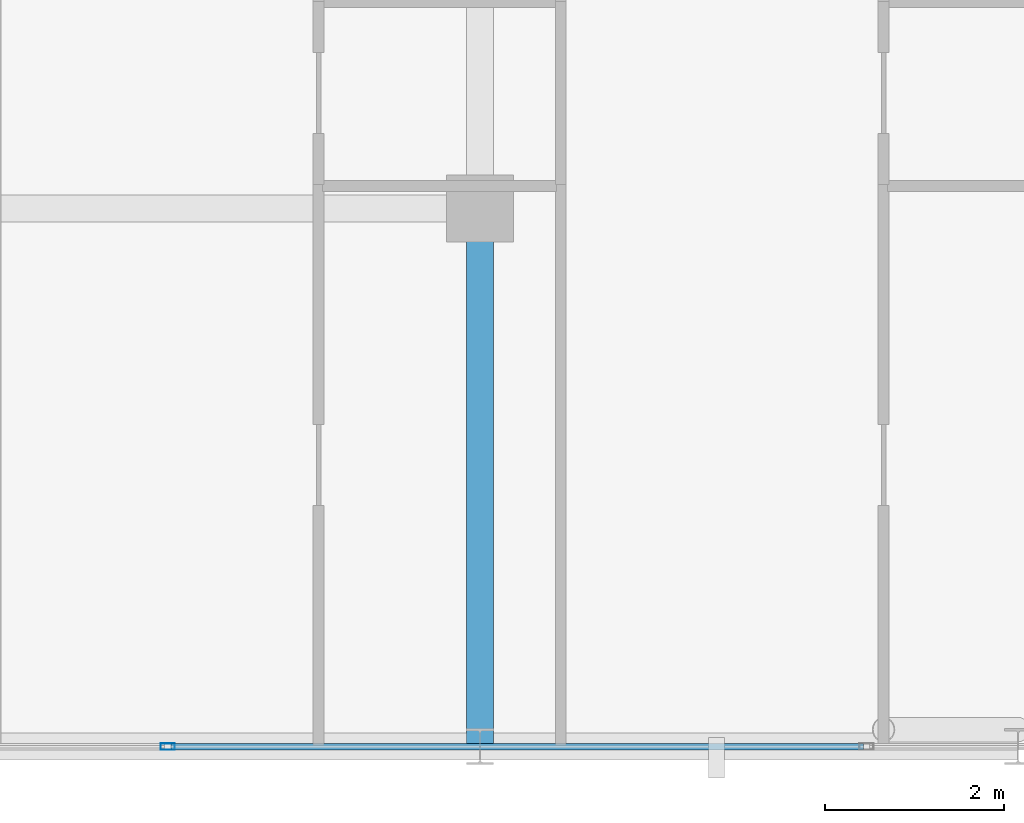
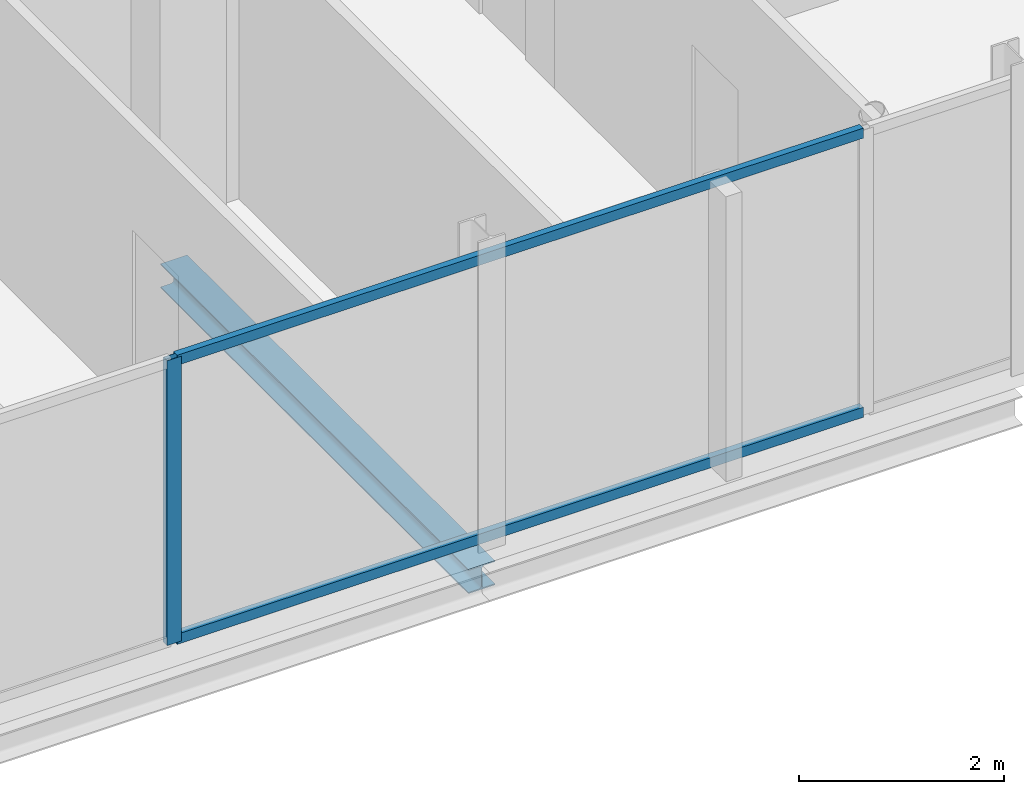
# One storey, part 8 of 30: 3 members, 1 beam, 1 element without a shape of its own.
"""IFC4 building model written with IfcOpenShell, lengths in metres."""

from ifc_helpers import new_model, si_unit, direction, frame, origin, origin_2d, place, context, subcontext, project, spatial, hollow_rectangle, i_section, extrude, material, layer, layer_set, material_profile, profile_set, type_object, element, aggregate, save


model = new_model("IFC4")

# Units and contexts
model_context = context("Model", 3, precision=1e-05, world=origin(), true_north=direction((0.0, 1.0)))
body_context = subcontext(model_context, "Body", "Model", "MODEL_VIEW")
ifc_project = project(units=[si_unit("LENGTHUNIT", "METRE"), si_unit("AREAUNIT", "SQUARE_METRE"), si_unit("VOLUMEUNIT", "CUBIC_METRE"), si_unit("PLANEANGLEUNIT", "RADIAN"), si_unit("MASSUNIT", "GRAM", prefix="KILO")], contexts=[model_context])

# Site, building, storey
site_placement = place(None, origin())
site = spatial("IfcSite", under=ifc_project, at=site_placement, CompositionType="ELEMENT")
building_placement = place(site_placement, origin())
building = spatial("IfcBuilding", under=site, at=building_placement, Name="Keshet Zoharim Tower", CompositionType="ELEMENT")
storey_placement = place(building_placement, frame((0.0, 0.0, 280.60009765625)))
storey = spatial("IfcBuildingStorey", under=building, at=storey_placement, Name="L70", CompositionType="ELEMENT", Elevation=280.60009765625)

# Beam
ifc_material_1 = material(Name="Steel S355", Category="steel")
ifc_material_profile_1 = material_profile(ifc_material_1, i_section(OverallWidth=0.300048828125, OverallDepth=0.2900390625, WebThickness=0.008544921875, FlangeThickness=0.013916015625, FilletRadius=0.027099609375, at=origin_2d()), Name="HEA300")
ifc_profile_set_1 = profile_set([ifc_material_profile_1], Name="Steel S355")
beam_type = type_object("IfcBeamType", Name="BM-PRI-HA300", PredefinedType="BEAM", material=ifc_profile_set_1)
beam_placement = place(storey_placement, frame((33.0, 6.699951171875, -0.455078125), z_axis=(0.0, 1.0, 0.0), x_axis=(-1.0, 0.0, 0.0)))
element("IfcBeam", 1, at=beam_placement, inside=storey, type_object=beam_type, Name="L70 Primary Girder Y-004", PredefinedType="BEAM", context=body_context, shape_type="SweptSolid", body=[
    extrude(i_section(OverallWidth=0.300048828125, OverallDepth=0.2900390625, WebThickness=0.008544921875, FlangeThickness=0.013916015625, FilletRadius=0.027099609375, at=origin_2d()), origin(), (0.0, 0.0, 1.0), 6.0),
])

# Curtain wall, members
ifc_material_2 = material(Name="Aluminium 6063-T6", Category="aluminium")
ifc_layer = layer(ifc_material_2, 0.260009765625)
ifc_layer_set = layer_set([ifc_layer], Name="Aluminium 6063-T6")
curtain_wall_type = type_object("IfcCurtainWallType", Name="CW-SYS-06", PredefinedType="NOTDEFINED", material=ifc_layer_set)
curtain_wall_placement = place(storey_placement, origin())
curtain_wall = element("IfcCurtainWall", 2, at=curtain_wall_placement, inside=storey, type_object=curtain_wall_type, Name="L70 Unitised Curtain Wall 14 Part 3", PredefinedType="NOTDEFINED")
ifc_material_profile_2 = material_profile(ifc_material_2, hollow_rectangle(XDim=0.074951171875, YDim=0.159912109375, WallThickness=0.00390625, at=origin_2d()), Name="MUL-75x160")
ifc_profile_set_2 = profile_set([ifc_material_profile_2], Name="Aluminium 6063-T6")
member_type_1 = type_object("IfcMemberType", Name="CWM-M15", PredefinedType="MULLION", material=ifc_profile_set_2)
member_1_placement = place(storey_placement, frame((29.517578125, 6.699951171875, 0.0), z_axis=(0.0, 0.0, 1.0), x_axis=(0.0, -1.0, 0.0)))
member_1 = element("IfcMember", 3, at=member_1_placement, type_object=member_type_1, Name="CW-06 mullion 2", PredefinedType="MULLION", context=body_context, shape_type="SweptSolid", body=[
    extrude(hollow_rectangle(XDim=0.074951171875, YDim=0.159912109375, WallThickness=0.00390625, at=origin_2d()), origin(), (0.0, 0.0, 1.0), 3.389892578125),
])
ifc_material_profile_3 = material_profile(ifc_material_2, hollow_rectangle(XDim=0.074951171875, YDim=0.1201171875, WallThickness=0.00390625, at=origin_2d()), Name="TRN-75x120")
ifc_profile_set_3 = profile_set([ifc_material_profile_3], Name="Aluminium 6063-T6")
member_type_2 = type_object("IfcMemberType", Name="CWT-T12", PredefinedType="USERDEFINED", material=ifc_profile_set_3)
member_2_placement = place(storey_placement, frame((37.275146484375, 6.699951171875, 0.034912109375), z_axis=(-1.0, 0.0, 0.0), x_axis=(0.0, -1.0, 0.0)))
member_2 = element("IfcMember", 4, at=member_2_placement, type_object=member_type_2, Name="CW-06 transom 1.1", ObjectType="TRANSOM", PredefinedType="USERDEFINED", context=body_context, shape_type="SweptSolid", body=[
    extrude(hollow_rectangle(XDim=0.074951171875, YDim=0.1201171875, WallThickness=0.00390625, at=origin_2d()), origin(), (0.0, 0.0, 1.0), 7.72265625),
])
member_3_placement = place(storey_placement, frame((37.275146484375, 6.699951171875, 3.35498046875), z_axis=(-1.0, 0.0, 0.0), x_axis=(0.0, -1.0, 0.0)))
member_3 = element("IfcMember", 5, at=member_3_placement, type_object=member_type_2, Name="CW-06 transom 1.2", ObjectType="TRANSOM", PredefinedType="USERDEFINED", context=body_context, shape_type="SweptSolid", body=[
    extrude(hollow_rectangle(XDim=0.074951171875, YDim=0.1201171875, WallThickness=0.00390625, at=origin_2d()), origin(), (0.0, 0.0, 1.0), 7.72265625),
])
aggregate(curtain_wall, [member_1, member_2, member_3])

save(model, "model.ifc")
